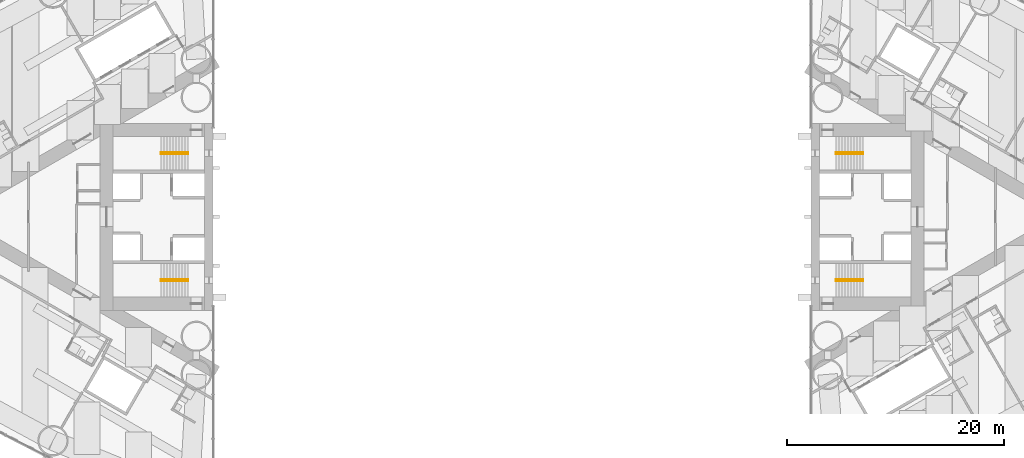
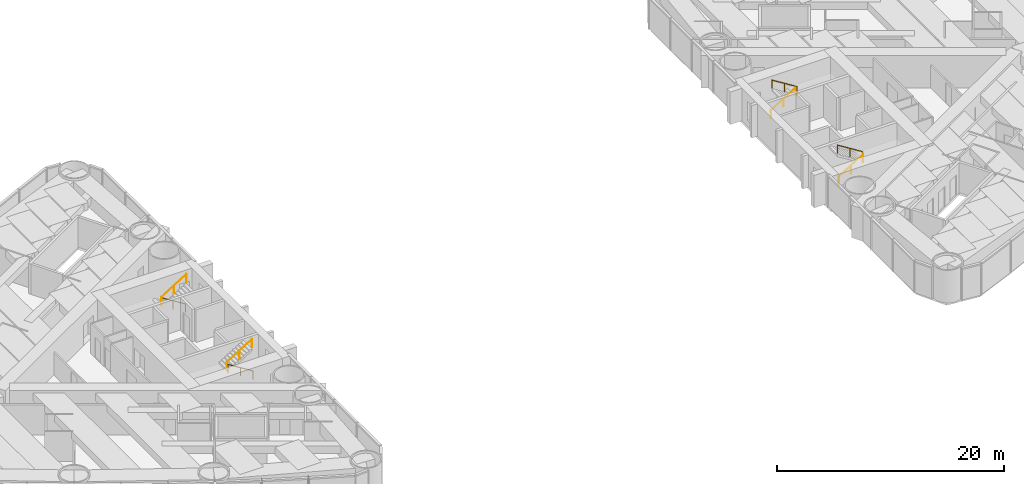
# One storey, part 17 of 18: 8 railings.
"""IFC4 building model written with IfcOpenShell, lengths in metres."""

import ifcopenshell
import ifcopenshell.guid

model = None  # the IFC model being written
_history = None  # IfcOwnerHistory: only IFC2X3 demands one
_inside = {}  # id of a spatial element -> (the spatial element, [elements in it])
_under = {}  # id of a project, library or spatial element -> (it, [spatial elements below it])
_declared = {}  # id of a project -> (the project, [libraries it declares])
_typed = {}  # id of a type object -> (the type object, [elements of that type])
_made_of = {}  # id of a material, layer set ... -> (it, [elements and type objects made of it])


def new_model(schema):
    """Start an empty IFC model of exactly this schema.

    Asked for "IFC4X3", IfcOpenShell would pick the latest addendum, in which some entities
    have other attributes; the version numbers below select the first issue.
    IFC2X3 requires an IfcOwnerHistory on every rooted entity: one is made here for all.
    """
    global model, _history
    if schema == "IFC4X3":
        model = ifcopenshell.file(schema_version=(4, 3, 0, 0))
    else:
        model = ifcopenshell.file(schema=schema)
    _inside.clear()
    _under.clear()
    _declared.clear()
    _typed.clear()
    _made_of.clear()
    _history = None
    if model.schema == "IFC2X3":
        org = make("IfcOrganization", Name="unknown")
        user = make(
            "IfcPersonAndOrganization",
            ThePerson=make("IfcPerson", FamilyName="unknown"),
            TheOrganization=org,
        )
        app = make(
            "IfcApplication",
            ApplicationDeveloper=org,
            Version="unknown",
            ApplicationFullName="unknown",
            ApplicationIdentifier="unknown",
        )
        _history = make(
            "IfcOwnerHistory",
            OwningUser=user,
            OwningApplication=app,
            ChangeAction="ADDED",
            CreationDate=0,
        )
    return model


def make(cls, **values):
    """One entity of the class cls with the attributes given. An attribute that is None is left unset."""
    return model.create_entity(
        cls, **{name: value for name, value in values.items() if value is not None}
    )


def rooted(cls, **values):
    """An entity with a GlobalId (a new one), such as an element, a storey or a relation."""
    return make(cls, GlobalId=ifcopenshell.guid.new(), OwnerHistory=_history, **values)


def si_unit(unit_type, name, prefix=None):
    """IfcSIUnit, for example si_unit("LENGTHUNIT", "METRE", prefix="MILLI")."""
    return make("IfcSIUnit", UnitType=unit_type, Prefix=prefix, Name=name)


def assignment(units):
    """IfcUnitAssignment: the units of a project."""
    return None if units is None else make("IfcUnitAssignment", Units=units)


def point(xyz):
    """IfcCartesianPoint."""
    return None if xyz is None else make("IfcCartesianPoint", Coordinates=xyz)


def direction(xyz):
    """IfcDirection."""
    return None if xyz is None else make("IfcDirection", DirectionRatios=xyz)


def frame(location, z_axis=None, x_axis=None):
    """IfcAxis2Placement3D, a coordinate frame: its origin and axes. An axis left out is left unset."""
    return make(
        "IfcAxis2Placement3D",
        Location=point(location),
        Axis=direction(z_axis),
        RefDirection=direction(x_axis),
    )


def frame_2d(location, x_axis=None):
    """IfcAxis2Placement2D, a coordinate frame in the plane: its origin and x axis."""
    return make(
        "IfcAxis2Placement2D", Location=point(location), RefDirection=direction(x_axis)
    )


def origin():
    """The frame at (0, 0, 0) with its axes left unset."""
    return frame((0.0, 0.0, 0.0))


def origin_2d():
    """The frame at (0, 0) in the plane with its x axis left unset."""
    return frame_2d((0.0, 0.0))


def place(relative_to, where):
    """IfcLocalPlacement: puts the frame where relative to a parent placement (None: the world)."""
    return make(
        "IfcLocalPlacement", PlacementRelTo=relative_to, RelativePlacement=where
    )


def context(
    kind, dimensions, precision=None, world=None, true_north=None, identifier=None
):
    """IfcGeometricRepresentationContext, for example the 3D "Model" context."""
    return make(
        "IfcGeometricRepresentationContext",
        ContextIdentifier=identifier,
        ContextType=kind,
        CoordinateSpaceDimension=dimensions,
        Precision=precision,
        WorldCoordinateSystem=world,
        TrueNorth=true_north,
    )


def subcontext(parent, identifier, kind, view, scale=None):
    """IfcGeometricRepresentationSubContext, for example "Body" below "Model"."""
    return make(
        "IfcGeometricRepresentationSubContext",
        ContextIdentifier=identifier,
        ContextType=kind,
        ParentContext=parent,
        TargetScale=scale,
        TargetView=view,
    )


def project(units=None, contexts=None):
    """IfcProject with its units and contexts."""
    return rooted(
        "IfcProject",
        Name="project",
        RepresentationContexts=contexts,
        UnitsInContext=assignment(units),
    )


def spatial(cls, under=None, at=None, **own):
    """A site, building, storey or space (cls), placed at a placement, below another one or the project."""
    s = rooted(cls, ObjectPlacement=at, **own)
    if under is not None:
        _under.setdefault(under.id(), (under, []))[1].append(s)
    return s


def profile(cls, at=None, kind="AREA", **sizes):
    """A parametric profile (cls). Its sizes go by their IFC names, for example OverallWidth=200.0."""
    return make(cls, ProfileType=kind, Position=at, **sizes)


def circle(**sizes):
    """IfcCircleProfileDef."""
    return profile("IfcCircleProfileDef", **sizes)


def extrude(swept, where, along, depth):
    """IfcExtrudedAreaSolid: the profile swept, set in the frame where, extruded along a direction by depth."""
    return make(
        "IfcExtrudedAreaSolid",
        SweptArea=swept,
        Position=where,
        ExtrudedDirection=direction(along),
        Depth=depth,
    )


def shape(context_of_items, identifier, shape_type, items):
    """IfcShapeRepresentation: the items that make up one representation, for example the "Body"."""
    return make(
        "IfcShapeRepresentation",
        ContextOfItems=context_of_items,
        RepresentationIdentifier=identifier,
        RepresentationType=shape_type,
        Items=items,
    )


def material(Name=None, Category=None):
    """IfcMaterial."""
    return make("IfcMaterial", Name=Name, Category=Category)


def made_of(thing, what):
    """Note that an element or type object is made of a material, layer set ...; save() writes the relation."""
    if what is not None:
        _made_of.setdefault(what.id(), (what, []))[1].append(thing)
    return thing


def type_object(cls, material=None, **own):
    """A type object (cls), such as IfcWallType, which elements share."""
    return made_of(rooted(cls, **own), material)


def element(
    cls,
    number,
    at=None,
    inside=None,
    cuts=None,
    type_object=None,
    material=None,
    context=None,
    identifier="Body",
    shape_type=None,
    held_by="IfcProductDefinitionShape",
    body=None,
    shapes=None,
    **own,
):
    """One element of the class cls, such as IfcWall. Its Tag is "e" and its number.

    at: its placement. inside: the storey or other place that contains it. cuts: it is an
    opening in that element (IfcRelVoidsElement). A single representation is given by context,
    identifier, shape_type and body (its items); several are given by shapes. held_by: the class
    of the entity that holds the representations. save() writes the other relations.
    """
    e = rooted(cls, Tag="e%d" % number, ObjectPlacement=at, **own)
    if body is not None:
        shapes = [shape(context, identifier, shape_type, body)]
    if shapes is not None:
        e.Representation = make(held_by, Representations=shapes)
    if inside is not None:
        _inside.setdefault(inside.id(), (inside, []))[1].append(e)
    if cuts is not None:
        rooted(
            "IfcRelVoidsElement", RelatingBuildingElement=cuts, RelatedOpeningElement=e
        )
    if type_object is not None:
        _typed.setdefault(type_object.id(), (type_object, []))[1].append(e)
    return made_of(e, material)


def aggregate(whole, parts):
    """IfcRelAggregates: a whole, such as a stair, and the parts it consists of."""
    return rooted("IfcRelAggregates", RelatingObject=whole, RelatedObjects=parts)


def save(model, path):
    """Write the relations noted so far, then the file.

    IfcRelAggregates (storeys below a building ...), IfcRelContainedInSpatialStructure (elements
    in a storey), IfcRelDefinesByType, IfcRelAssociatesMaterial and IfcRelDeclares: one each for
    every whole, place, type object, material and project.
    """
    for whole, parts in _under.values():
        aggregate(whole, parts)
    for where, things in _inside.values():
        rooted(
            "IfcRelContainedInSpatialStructure",
            RelatedElements=things,
            RelatingStructure=where,
        )
    for kind, things in _typed.values():
        rooted("IfcRelDefinesByType", RelatedObjects=things, RelatingType=kind)
    for what, things in _made_of.values():
        rooted("IfcRelAssociatesMaterial", RelatedObjects=things, RelatingMaterial=what)
    for by, libraries in _declared.values():
        rooted("IfcRelDeclares", RelatingContext=by, RelatedDefinitions=libraries)
    model.write(path)


model = new_model("IFC4")

# Units and contexts
model_context = context("Model", 3, precision=1e-05, world=origin(), true_north=direction((0.0, 1.0)))
body_context = subcontext(model_context, "Body", "Model", "MODEL_VIEW")
ifc_project = project(units=[si_unit("LENGTHUNIT", "METRE"), si_unit("AREAUNIT", "SQUARE_METRE"), si_unit("VOLUMEUNIT", "CUBIC_METRE"), si_unit("PLANEANGLEUNIT", "RADIAN"), si_unit("MASSUNIT", "GRAM", prefix="KILO")], contexts=[model_context])

# Site, building, storey
site_placement = place(None, origin())
site = spatial("IfcSite", under=ifc_project, at=site_placement, CompositionType="ELEMENT")
building_placement = place(site_placement, origin())
building = spatial("IfcBuilding", under=site, at=building_placement, Name="Lancet Gate Hotel", CompositionType="ELEMENT")
storey_placement = place(building_placement, frame((0.0, 0.0, 56.5)))
storey = spatial("IfcBuildingStorey", under=building, at=storey_placement, Name="L14", CompositionType="ELEMENT", Elevation=56.5)

# Railings
ifc_material = material(Name="Stainless steel handrail", Category="steel")
railing_type = type_object("IfcRailingType", Name="Stair handrail 900", PredefinedType="HANDRAIL", material=ifc_material)
railing_1_placement = place(storey_placement, frame((-29.800048828125, 5.929931640625, 0.175048828125)))
element("IfcRailing", 1, at=railing_1_placement, inside=storey, type_object=railing_type, Name="ST1 handrail flight 1 L14", PredefinedType="HANDRAIL", context=body_context, shape_type="SweptSolid", body=[
    extrude(circle(Radius=0.02392578125, at=origin_2d()), frame((0.0, 0.0, 0.8759765625), z_axis=(-0.848007534815, 0.0, 0.529984170421), x_axis=(0.0, -1.0, 0.0)), (0.0, 0.0, 1.0), 2.9716796875),
    extrude(circle(Radius=0.02099609375, at=origin_2d()), origin(), (0.0, 0.0, 1.0), 0.851806640625),
    extrude(circle(Radius=0.02099609375, at=origin_2d()), frame((-1.260009765625, 0.0, 0.78759765625)), (0.0, 0.0, 1.0), 0.851806640625),
    extrude(circle(Radius=0.02099609375, at=origin_2d()), frame((-2.52001953125, 0.0, 1.574951171875)), (0.0, 0.0, 1.0), 0.851806640625),
])
railing_2_placement = place(storey_placement, frame((-32.320068359375, 5.77001953125, 1.925048828125)))
element("IfcRailing", 2, at=railing_2_placement, inside=storey, type_object=railing_type, Name="ST1 handrail flight 2 L14", PredefinedType="HANDRAIL", context=body_context, shape_type="SweptSolid", body=[
    extrude(circle(Radius=0.02392578125, at=origin_2d()), frame((0.0, 0.0, 0.8759765625), z_axis=(0.848007534815, 0.0, 0.529984170421), x_axis=(0.0, 1.0, 0.0)), (0.0, 0.0, 1.0), 2.9716796875),
    extrude(circle(Radius=0.02099609375, at=origin_2d()), origin(), (0.0, 0.0, 1.0), 0.851806640625),
    extrude(circle(Radius=0.02099609375, at=origin_2d()), frame((1.260009765625, 0.0, 0.78759765625)), (0.0, 0.0, 1.0), 0.851806640625),
    extrude(circle(Radius=0.02099609375, at=origin_2d()), frame((2.52001953125, 0.0, 1.574951171875)), (0.0, 0.0, 1.0), 0.851806640625),
])
railing_3_placement = place(storey_placement, frame((-29.800048828125, -5.929931640625, 0.175048828125)))
element("IfcRailing", 3, at=railing_3_placement, inside=storey, type_object=railing_type, Name="ST2 handrail flight 1 L14", PredefinedType="HANDRAIL", context=body_context, shape_type="SweptSolid", body=[
    extrude(circle(Radius=0.02392578125, at=origin_2d()), frame((0.0, 0.0, 0.8759765625), z_axis=(-0.848007534815, 0.0, 0.529984170421), x_axis=(0.0, -1.0, 0.0)), (0.0, 0.0, 1.0), 2.9716796875),
    extrude(circle(Radius=0.02099609375, at=origin_2d()), origin(), (0.0, 0.0, 1.0), 0.851806640625),
    extrude(circle(Radius=0.02099609375, at=origin_2d()), frame((-1.260009765625, 0.0, 0.78759765625)), (0.0, 0.0, 1.0), 0.851806640625),
    extrude(circle(Radius=0.02099609375, at=origin_2d()), frame((-2.52001953125, 0.0, 1.574951171875)), (0.0, 0.0, 1.0), 0.851806640625),
])
for number, where, name in (
    (4, (-32.320068359375, -5.77001953125, 1.925048828125), "ST2 handrail flight 2 L14"),
    (5, (29.800048828125, -5.929931640625, 0.175048828125), "ST3 handrail flight 1 L14"),
):
    element("IfcRailing", number, at=place(storey_placement, frame(where)), inside=storey, type_object=railing_type, Name=name, PredefinedType="HANDRAIL", context=body_context, shape_type="SweptSolid", body=[
        extrude(circle(Radius=0.02392578125, at=origin_2d()), frame((0.0, 0.0, 0.8759765625), z_axis=(0.848007534815, 0.0, 0.529984170421), x_axis=(0.0, 1.0, 0.0)), (0.0, 0.0, 1.0), 2.9716796875),
        extrude(circle(Radius=0.02099609375, at=origin_2d()), origin(), (0.0, 0.0, 1.0), 0.851806640625),
        extrude(circle(Radius=0.02099609375, at=origin_2d()), frame((1.260009765625, 0.0, 0.78759765625)), (0.0, 0.0, 1.0), 0.851806640625),
        extrude(circle(Radius=0.02099609375, at=origin_2d()), frame((2.52001953125, 0.0, 1.574951171875)), (0.0, 0.0, 1.0), 0.851806640625),
    ])
railing_4_placement = place(storey_placement, frame((32.320068359375, -5.77001953125, 1.925048828125)))
element("IfcRailing", 6, at=railing_4_placement, inside=storey, type_object=railing_type, Name="ST3 handrail flight 2 L14", PredefinedType="HANDRAIL", context=body_context, shape_type="SweptSolid", body=[
    extrude(circle(Radius=0.02392578125, at=origin_2d()), frame((0.0, 0.0, 0.8759765625), z_axis=(-0.848007534815, 0.0, 0.529984170421), x_axis=(0.0, -1.0, 0.0)), (0.0, 0.0, 1.0), 2.9716796875),
    extrude(circle(Radius=0.02099609375, at=origin_2d()), origin(), (0.0, 0.0, 1.0), 0.851806640625),
    extrude(circle(Radius=0.02099609375, at=origin_2d()), frame((-1.260009765625, 0.0, 0.78759765625)), (0.0, 0.0, 1.0), 0.851806640625),
    extrude(circle(Radius=0.02099609375, at=origin_2d()), frame((-2.52001953125, 0.0, 1.574951171875)), (0.0, 0.0, 1.0), 0.851806640625),
])
railing_5_placement = place(storey_placement, frame((29.800048828125, 5.929931640625, 0.175048828125)))
element("IfcRailing", 7, at=railing_5_placement, inside=storey, type_object=railing_type, Name="ST4 handrail flight 1 L14", PredefinedType="HANDRAIL", context=body_context, shape_type="SweptSolid", body=[
    extrude(circle(Radius=0.02392578125, at=origin_2d()), frame((0.0, 0.0, 0.8759765625), z_axis=(0.848007534815, 0.0, 0.529984170421), x_axis=(0.0, 1.0, 0.0)), (0.0, 0.0, 1.0), 2.9716796875),
    extrude(circle(Radius=0.02099609375, at=origin_2d()), origin(), (0.0, 0.0, 1.0), 0.851806640625),
    extrude(circle(Radius=0.02099609375, at=origin_2d()), frame((1.260009765625, 0.0, 0.78759765625)), (0.0, 0.0, 1.0), 0.851806640625),
    extrude(circle(Radius=0.02099609375, at=origin_2d()), frame((2.52001953125, 0.0, 1.574951171875)), (0.0, 0.0, 1.0), 0.851806640625),
])
railing_6_placement = place(storey_placement, frame((32.320068359375, 5.77001953125, 1.925048828125)))
element("IfcRailing", 8, at=railing_6_placement, inside=storey, type_object=railing_type, Name="ST4 handrail flight 2 L14", PredefinedType="HANDRAIL", context=body_context, shape_type="SweptSolid", body=[
    extrude(circle(Radius=0.02392578125, at=origin_2d()), frame((0.0, 0.0, 0.8759765625), z_axis=(-0.848007534815, 0.0, 0.529984170421), x_axis=(0.0, -1.0, 0.0)), (0.0, 0.0, 1.0), 2.9716796875),
    extrude(circle(Radius=0.02099609375, at=origin_2d()), origin(), (0.0, 0.0, 1.0), 0.851806640625),
    extrude(circle(Radius=0.02099609375, at=origin_2d()), frame((-1.260009765625, 0.0, 0.78759765625)), (0.0, 0.0, 1.0), 0.851806640625),
    extrude(circle(Radius=0.02099609375, at=origin_2d()), frame((-2.52001953125, 0.0, 1.574951171875)), (0.0, 0.0, 1.0), 0.851806640625),
])

save(model, "model.ifc")
